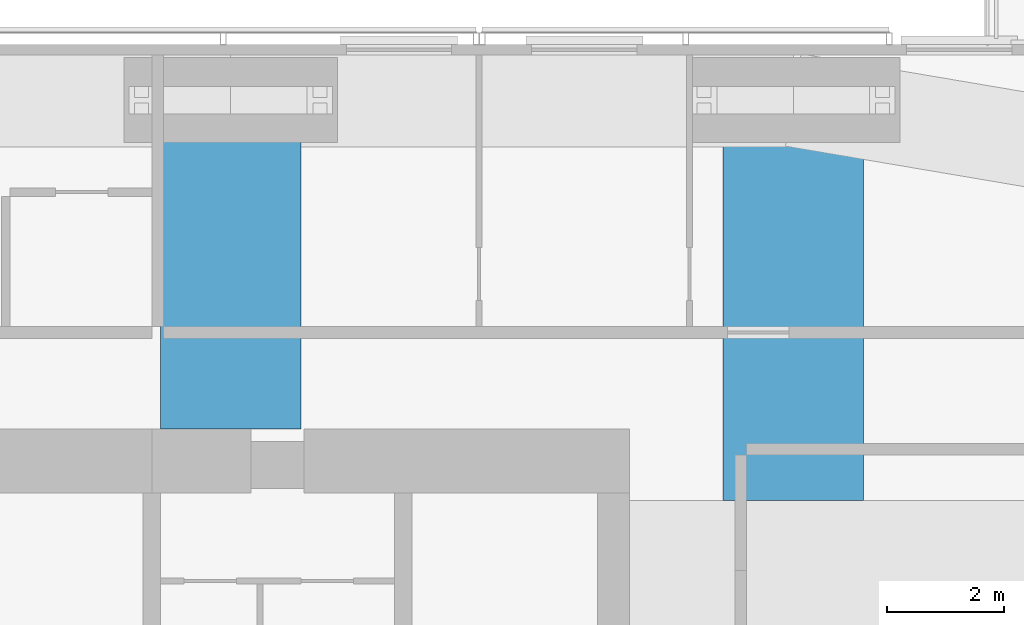
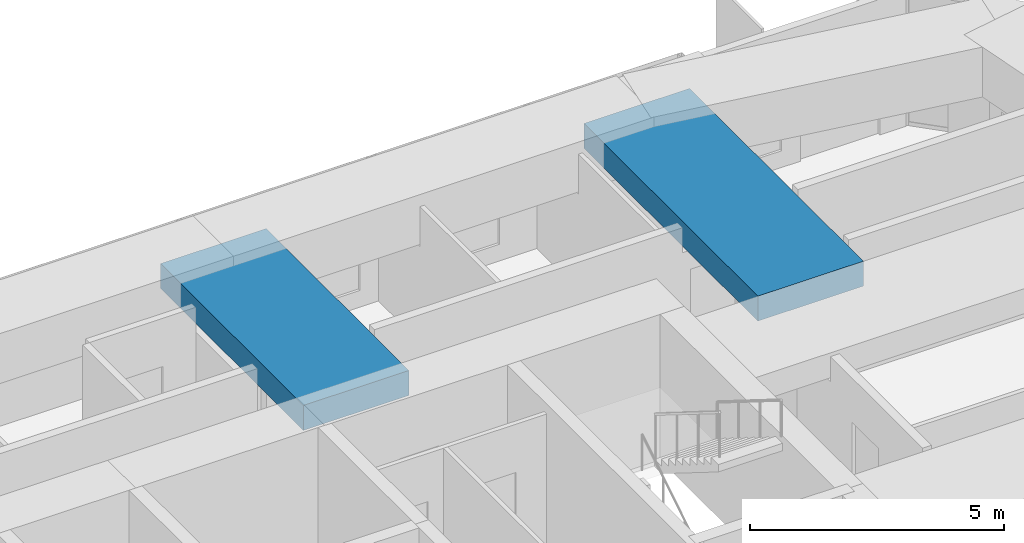
# One storey, part 6 of 18: 2 beams.
"""IFC4 building model written with IfcOpenShell, lengths in metres."""

from ifc_helpers import new_model, si_unit, direction, frame, origin, origin_2d, place, context, subcontext, project, spatial, rectangle, extrude, material, material_profile, profile_set, type_object, element, save


model = new_model("IFC4")

# Units and contexts
model_context = context("Model", 3, precision=1e-05, world=origin(), true_north=direction((0.0, 1.0)))
body_context = subcontext(model_context, "Body", "Model", "MODEL_VIEW")
ifc_project = project(units=[si_unit("LENGTHUNIT", "METRE"), si_unit("AREAUNIT", "SQUARE_METRE"), si_unit("VOLUMEUNIT", "CUBIC_METRE"), si_unit("PLANEANGLEUNIT", "RADIAN"), si_unit("MASSUNIT", "GRAM", prefix="KILO")], contexts=[model_context])

# Site, building, storey
site_placement = place(None, origin())
site = spatial("IfcSite", under=ifc_project, at=site_placement, CompositionType="ELEMENT")
building_placement = place(site_placement, origin())
building = spatial("IfcBuilding", under=site, at=building_placement, Name="Jalousie Tower", CompositionType="ELEMENT")
storey_placement = place(building_placement, frame((0.0, 0.0, 235.449951171875)))
storey = spatial("IfcBuildingStorey", under=building, at=storey_placement, Name="L64", CompositionType="ELEMENT", Elevation=235.449951171875)

# Beams
ifc_material = material(Name="Concrete f'c 40 MPa", Category="concrete")
ifc_material_profile = material_profile(ifc_material, rectangle(XDim=2.39990234375, YDim=0.60009765625, at=origin_2d()), Name="RC 2400x600")
ifc_profile_set = profile_set([ifc_material_profile], Name="Concrete f'c 40 MPa")
beam_type = type_object("IfcBeamType", Name="RC BEAM 2400x600", PredefinedType="BEAM", material=ifc_profile_set)
beam_1_placement = place(storey_placement, frame((37.25, 33.050048828125, 2.9599609375), z_axis=(0.0, -1.0, 0.0), x_axis=(1.0, 0.0, 0.0)))
element("IfcBeam", 1, at=beam_1_placement, inside=storey, type_object=beam_type, Name="Floor band beam under L65", PredefinedType="BEAM", context=body_context, shape_type="SweptSolid", body=[
    extrude(rectangle(XDim=2.39990234375, YDim=0.60009765625, at=origin_2d()), origin(), (0.0, 0.0, 1.0), 5.625),
])
beam_2_placement = place(storey_placement, frame((46.875, 33.050048828125, 2.9599609375), z_axis=(0.0, -1.0, 0.0), x_axis=(1.0, 0.0, 0.0)))
element("IfcBeam", 2, at=beam_2_placement, inside=storey, type_object=beam_type, Name="Floor band beam under L65", PredefinedType="BEAM", context=body_context, shape_type="SweptSolid", body=[
    extrude(rectangle(XDim=2.39990234375, YDim=0.60009765625, at=origin_2d()), origin(), (0.0, 0.0, 1.0), 6.85009765625),
])

save(model, "model.ifc")
